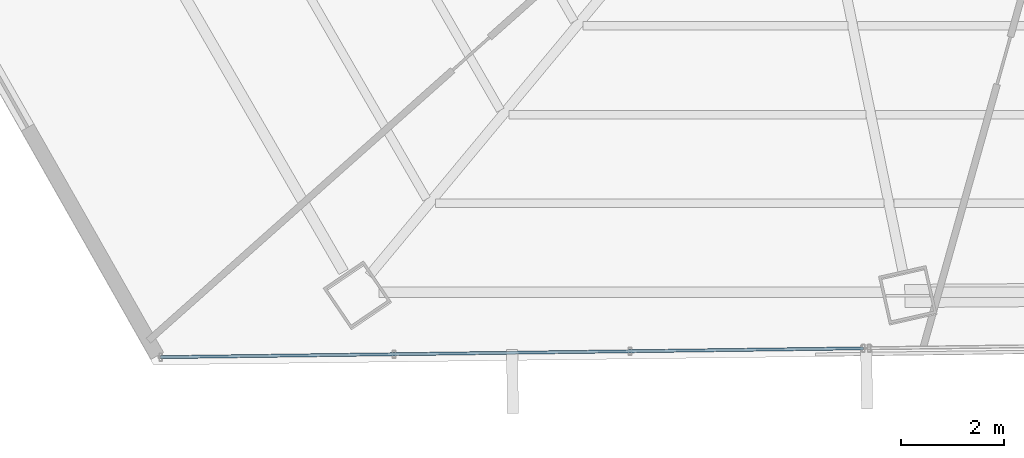
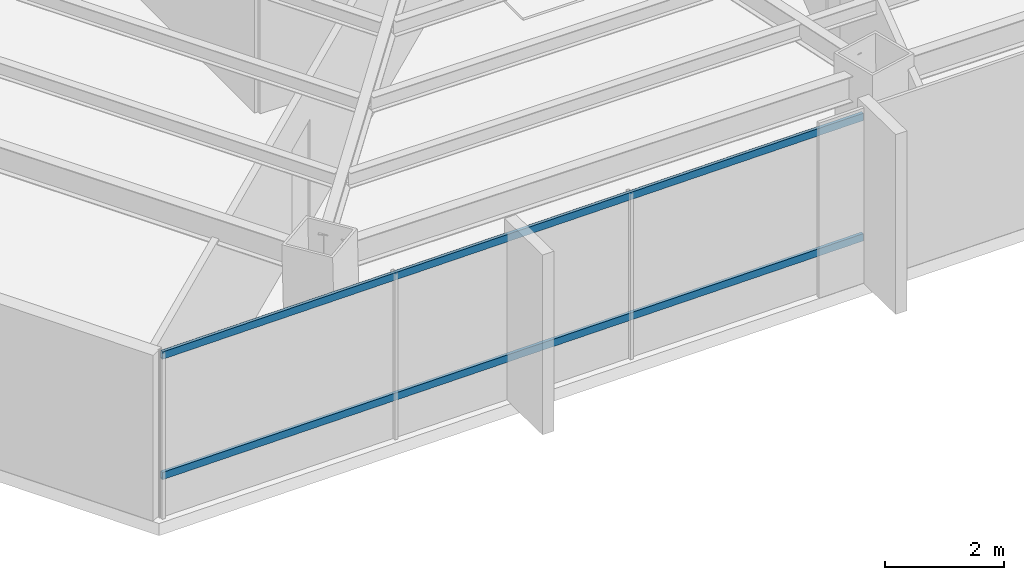
# One storey, part 3 of 41: 2 members, 1 element without a shape of its own.
"""IFC4 building model written with IfcOpenShell, lengths in metres."""

import ifcopenshell
import ifcopenshell.guid

model = None  # the IFC model being written
_history = None  # IfcOwnerHistory: only IFC2X3 demands one
_inside = {}  # id of a spatial element -> (the spatial element, [elements in it])
_under = {}  # id of a project, library or spatial element -> (it, [spatial elements below it])
_declared = {}  # id of a project -> (the project, [libraries it declares])
_typed = {}  # id of a type object -> (the type object, [elements of that type])
_made_of = {}  # id of a material, layer set ... -> (it, [elements and type objects made of it])


def new_model(schema):
    """Start an empty IFC model of exactly this schema.

    Asked for "IFC4X3", IfcOpenShell would pick the latest addendum, in which some entities
    have other attributes; the version numbers below select the first issue.
    IFC2X3 requires an IfcOwnerHistory on every rooted entity: one is made here for all.
    """
    global model, _history
    if schema == "IFC4X3":
        model = ifcopenshell.file(schema_version=(4, 3, 0, 0))
    else:
        model = ifcopenshell.file(schema=schema)
    _inside.clear()
    _under.clear()
    _declared.clear()
    _typed.clear()
    _made_of.clear()
    _history = None
    if model.schema == "IFC2X3":
        org = make("IfcOrganization", Name="unknown")
        user = make(
            "IfcPersonAndOrganization",
            ThePerson=make("IfcPerson", FamilyName="unknown"),
            TheOrganization=org,
        )
        app = make(
            "IfcApplication",
            ApplicationDeveloper=org,
            Version="unknown",
            ApplicationFullName="unknown",
            ApplicationIdentifier="unknown",
        )
        _history = make(
            "IfcOwnerHistory",
            OwningUser=user,
            OwningApplication=app,
            ChangeAction="ADDED",
            CreationDate=0,
        )
    return model


def make(cls, **values):
    """One entity of the class cls with the attributes given. An attribute that is None is left unset."""
    return model.create_entity(
        cls, **{name: value for name, value in values.items() if value is not None}
    )


def rooted(cls, **values):
    """An entity with a GlobalId (a new one), such as an element, a storey or a relation."""
    return make(cls, GlobalId=ifcopenshell.guid.new(), OwnerHistory=_history, **values)


def si_unit(unit_type, name, prefix=None):
    """IfcSIUnit, for example si_unit("LENGTHUNIT", "METRE", prefix="MILLI")."""
    return make("IfcSIUnit", UnitType=unit_type, Prefix=prefix, Name=name)


def assignment(units):
    """IfcUnitAssignment: the units of a project."""
    return None if units is None else make("IfcUnitAssignment", Units=units)


def point(xyz):
    """IfcCartesianPoint."""
    return None if xyz is None else make("IfcCartesianPoint", Coordinates=xyz)


def direction(xyz):
    """IfcDirection."""
    return None if xyz is None else make("IfcDirection", DirectionRatios=xyz)


def frame(location, z_axis=None, x_axis=None):
    """IfcAxis2Placement3D, a coordinate frame: its origin and axes. An axis left out is left unset."""
    return make(
        "IfcAxis2Placement3D",
        Location=point(location),
        Axis=direction(z_axis),
        RefDirection=direction(x_axis),
    )


def frame_2d(location, x_axis=None):
    """IfcAxis2Placement2D, a coordinate frame in the plane: its origin and x axis."""
    return make(
        "IfcAxis2Placement2D", Location=point(location), RefDirection=direction(x_axis)
    )


def origin():
    """The frame at (0, 0, 0) with its axes left unset."""
    return frame((0.0, 0.0, 0.0))


def origin_2d():
    """The frame at (0, 0) in the plane with its x axis left unset."""
    return frame_2d((0.0, 0.0))


def place(relative_to, where):
    """IfcLocalPlacement: puts the frame where relative to a parent placement (None: the world)."""
    return make(
        "IfcLocalPlacement", PlacementRelTo=relative_to, RelativePlacement=where
    )


def context(
    kind, dimensions, precision=None, world=None, true_north=None, identifier=None
):
    """IfcGeometricRepresentationContext, for example the 3D "Model" context."""
    return make(
        "IfcGeometricRepresentationContext",
        ContextIdentifier=identifier,
        ContextType=kind,
        CoordinateSpaceDimension=dimensions,
        Precision=precision,
        WorldCoordinateSystem=world,
        TrueNorth=true_north,
    )


def subcontext(parent, identifier, kind, view, scale=None):
    """IfcGeometricRepresentationSubContext, for example "Body" below "Model"."""
    return make(
        "IfcGeometricRepresentationSubContext",
        ContextIdentifier=identifier,
        ContextType=kind,
        ParentContext=parent,
        TargetScale=scale,
        TargetView=view,
    )


def project(units=None, contexts=None):
    """IfcProject with its units and contexts."""
    return rooted(
        "IfcProject",
        Name="project",
        RepresentationContexts=contexts,
        UnitsInContext=assignment(units),
    )


def spatial(cls, under=None, at=None, **own):
    """A site, building, storey or space (cls), placed at a placement, below another one or the project."""
    s = rooted(cls, ObjectPlacement=at, **own)
    if under is not None:
        _under.setdefault(under.id(), (under, []))[1].append(s)
    return s


def profile(cls, at=None, kind="AREA", **sizes):
    """A parametric profile (cls). Its sizes go by their IFC names, for example OverallWidth=200.0."""
    return make(cls, ProfileType=kind, Position=at, **sizes)


def hollow_rectangle(**sizes):
    """IfcRectangleHollowProfileDef."""
    return profile("IfcRectangleHollowProfileDef", **sizes)


def extrude(swept, where, along, depth):
    """IfcExtrudedAreaSolid: the profile swept, set in the frame where, extruded along a direction by depth."""
    return make(
        "IfcExtrudedAreaSolid",
        SweptArea=swept,
        Position=where,
        ExtrudedDirection=direction(along),
        Depth=depth,
    )


def shape(context_of_items, identifier, shape_type, items):
    """IfcShapeRepresentation: the items that make up one representation, for example the "Body"."""
    return make(
        "IfcShapeRepresentation",
        ContextOfItems=context_of_items,
        RepresentationIdentifier=identifier,
        RepresentationType=shape_type,
        Items=items,
    )


def source(mapping_origin, context_of_items, identifier, shape_type, items):
    """IfcRepresentationMap: a shape defined once, which mapped items show again and again."""
    return make(
        "IfcRepresentationMap",
        MappingOrigin=mapping_origin,
        MappedRepresentation=shape(context_of_items, identifier, shape_type, items),
    )


def transform(
    local_origin,
    x_axis=None,
    y_axis=None,
    z_axis=None,
    scale=None,
    scale2=None,
    scale3=None,
    uniform=True,
):
    """IfcCartesianTransformationOperator3D, or its non-uniform kind. x_axis, y_axis, z_axis: its Axis1, 2, 3."""
    if uniform:
        return make(
            "IfcCartesianTransformationOperator3D",
            Axis1=direction(x_axis),
            Axis2=direction(y_axis),
            LocalOrigin=point(local_origin),
            Scale=scale,
            Axis3=direction(z_axis),
        )
    return make(
        "IfcCartesianTransformationOperator3DnonUniform",
        Axis1=direction(x_axis),
        Axis2=direction(y_axis),
        LocalOrigin=point(local_origin),
        Scale=scale,
        Axis3=direction(z_axis),
        Scale2=scale2,
        Scale3=scale3,
    )


def mapped(mapping_source, mapping_target):
    """IfcMappedItem: shows the shape of a source again, moved by a transform."""
    return make(
        "IfcMappedItem", MappingSource=mapping_source, MappingTarget=mapping_target
    )


def material(Name=None, Category=None):
    """IfcMaterial."""
    return make("IfcMaterial", Name=Name, Category=Category)


def material_profile(
    of_material, cross_section, Name=None, Category=None, Priority=None
):
    """IfcMaterialProfile: a cross section and its material."""
    return make(
        "IfcMaterialProfile",
        Name=Name,
        Material=of_material,
        Profile=cross_section,
        Priority=Priority,
        Category=Category,
    )


def profile_set(profiles, Name=None, composite=None):
    """IfcMaterialProfileSet."""
    return make(
        "IfcMaterialProfileSet",
        Name=Name,
        MaterialProfiles=profiles,
        CompositeProfile=composite,
    )


def made_of(thing, what):
    """Note that an element or type object is made of a material, layer set ...; save() writes the relation."""
    if what is not None:
        _made_of.setdefault(what.id(), (what, []))[1].append(thing)
    return thing


def type_object(cls, material=None, **own):
    """A type object (cls), such as IfcWallType, which elements share."""
    return made_of(rooted(cls, **own), material)


def type_shapes(of_type, sources):
    """Give a type object the sources (RepresentationMaps) that its elements show as mapped items."""
    of_type.RepresentationMaps = sources


def element(
    cls,
    number,
    at=None,
    inside=None,
    cuts=None,
    type_object=None,
    material=None,
    context=None,
    identifier="Body",
    shape_type=None,
    held_by="IfcProductDefinitionShape",
    body=None,
    shapes=None,
    **own,
):
    """One element of the class cls, such as IfcWall. Its Tag is "e" and its number.

    at: its placement. inside: the storey or other place that contains it. cuts: it is an
    opening in that element (IfcRelVoidsElement). A single representation is given by context,
    identifier, shape_type and body (its items); several are given by shapes. held_by: the class
    of the entity that holds the representations. save() writes the other relations.
    """
    e = rooted(cls, Tag="e%d" % number, ObjectPlacement=at, **own)
    if body is not None:
        shapes = [shape(context, identifier, shape_type, body)]
    if shapes is not None:
        e.Representation = make(held_by, Representations=shapes)
    if inside is not None:
        _inside.setdefault(inside.id(), (inside, []))[1].append(e)
    if cuts is not None:
        rooted(
            "IfcRelVoidsElement", RelatingBuildingElement=cuts, RelatedOpeningElement=e
        )
    if type_object is not None:
        _typed.setdefault(type_object.id(), (type_object, []))[1].append(e)
    return made_of(e, material)


def aggregate(whole, parts):
    """IfcRelAggregates: a whole, such as a stair, and the parts it consists of."""
    return rooted("IfcRelAggregates", RelatingObject=whole, RelatedObjects=parts)


def save(model, path):
    """Write the relations noted so far, then the file.

    IfcRelAggregates (storeys below a building ...), IfcRelContainedInSpatialStructure (elements
    in a storey), IfcRelDefinesByType, IfcRelAssociatesMaterial and IfcRelDeclares: one each for
    every whole, place, type object, material and project.
    """
    for whole, parts in _under.values():
        aggregate(whole, parts)
    for where, things in _inside.values():
        rooted(
            "IfcRelContainedInSpatialStructure",
            RelatedElements=things,
            RelatingStructure=where,
        )
    for kind, things in _typed.values():
        rooted("IfcRelDefinesByType", RelatedObjects=things, RelatingType=kind)
    for what, things in _made_of.values():
        rooted("IfcRelAssociatesMaterial", RelatedObjects=things, RelatingMaterial=what)
    for by, libraries in _declared.values():
        rooted("IfcRelDeclares", RelatingContext=by, RelatedDefinitions=libraries)
    model.write(path)


model = new_model("IFC4")

# Units and contexts
model_context = context("Model", 3, precision=1e-05, world=origin(), true_north=direction((0.0, 1.0)))
body_context = subcontext(model_context, "Body", "Model", "MODEL_VIEW")
ifc_project = project(units=[si_unit("LENGTHUNIT", "METRE"), si_unit("AREAUNIT", "SQUARE_METRE"), si_unit("VOLUMEUNIT", "CUBIC_METRE"), si_unit("PLANEANGLEUNIT", "RADIAN"), si_unit("MASSUNIT", "GRAM", prefix="KILO")], contexts=[model_context])

# Site, building, storey
site_placement = place(None, origin())
site = spatial("IfcSite", under=ifc_project, at=site_placement, CompositionType="ELEMENT")
building_placement = place(site_placement, origin())
building = spatial("IfcBuilding", under=site, at=building_placement, Name="Caelisora Broadcast Tower", CompositionType="ELEMENT")
storey_placement = place(building_placement, frame((0.0, 0.0, 135.449951171875)))
storey = spatial("IfcBuildingStorey", under=building, at=storey_placement, Name="L35", CompositionType="ELEMENT", Elevation=135.449951171875)

# Curtain wall, members
ifc_material_1 = material(Name="Unitised Aluminium and Low-E Glass Curtain Wall", Category="glass")
curtain_wall_type = type_object("IfcCurtainWallType", Name="CW-Z3", PredefinedType="NOTDEFINED", material=ifc_material_1)
curtain_wall_placement = place(storey_placement, origin())
curtain_wall = element("IfcCurtainWall", 1, at=curtain_wall_placement, inside=storey, type_object=curtain_wall_type, Name="L35 curtain wall CW-Z3", PredefinedType="NOTDEFINED")
ifc_material_2 = material(Name="Aluminium 6063-T6 Anodised Terracotta Bronze", Category="aluminium")
ifc_material_profile = material_profile(ifc_material_2, hollow_rectangle(XDim=0.06005859375, YDim=0.14990234375, WallThickness=0.00341796875, at=origin_2d()), Name="Aluminium 6063-T6 Anodised Terracotta Bronze")
ifc_profile_set = profile_set([ifc_material_profile], Name="Aluminium 6063-T6 Anodised Terracotta Bronze")
member_type = type_object("IfcMemberType", Name="CWT-02", PredefinedType="USERDEFINED", material=ifc_profile_set)
shared_shape = source(origin(), body_context, "Body", "SweptSolid", [
    extrude(hollow_rectangle(XDim=0.06005859375, YDim=0.14990234375, WallThickness=0.00341796875, at=origin_2d()), origin(), (0.0, 0.0, 1.0), 13.703125),
])
type_shapes(member_type, [shared_shape])
member_1_placement = place(storey_placement, frame((31.771240234375, 5.915283203125, 0.85009765625), z_axis=(-0.999920665897, -0.012596107027, 0.0), x_axis=(0.012596107027, -0.999920665897, 0.0)))
member_1 = element("IfcMember", 2, at=member_1_placement, type_object=member_type, Name="L35-CW-B07 transom #1", ObjectType="TRANSOM", PredefinedType="USERDEFINED", context=body_context, shape_type="MappedRepresentation", body=[
    mapped(shared_shape, transform((0.0, 0.0, 0.0), scale=1.0)),
])
member_2_placement = place(storey_placement, frame((31.771240234375, 5.915283203125, 3.320068359375), z_axis=(-0.999920665897, -0.012596107027, 0.0), x_axis=(0.012596107027, -0.999920665897, 0.0)))
member_2 = element("IfcMember", 3, at=member_2_placement, type_object=member_type, Name="L35-CW-B07 transom #2", ObjectType="TRANSOM", PredefinedType="USERDEFINED", context=body_context, shape_type="MappedRepresentation", body=[
    mapped(shared_shape, transform((0.0, 0.0, 0.0), scale=1.0)),
])
aggregate(curtain_wall, [member_1, member_2])

save(model, "model.ifc")
